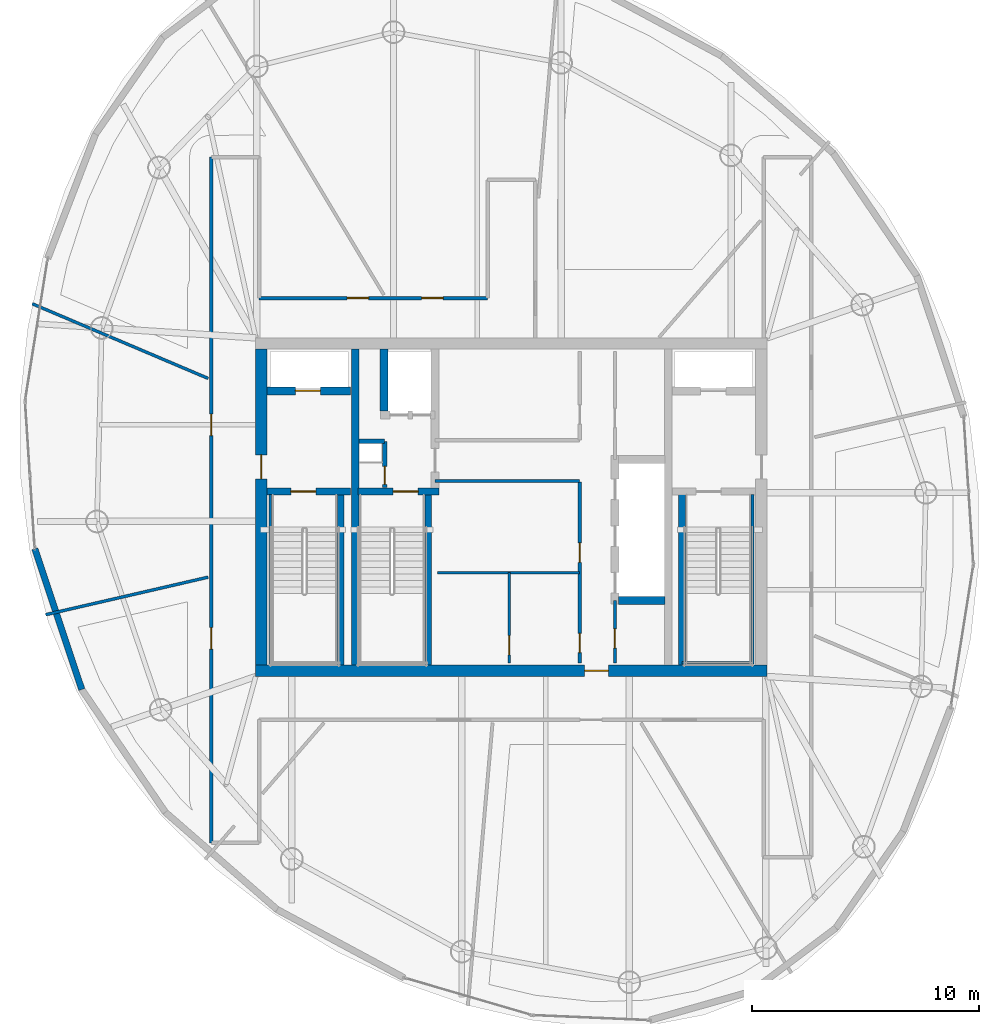
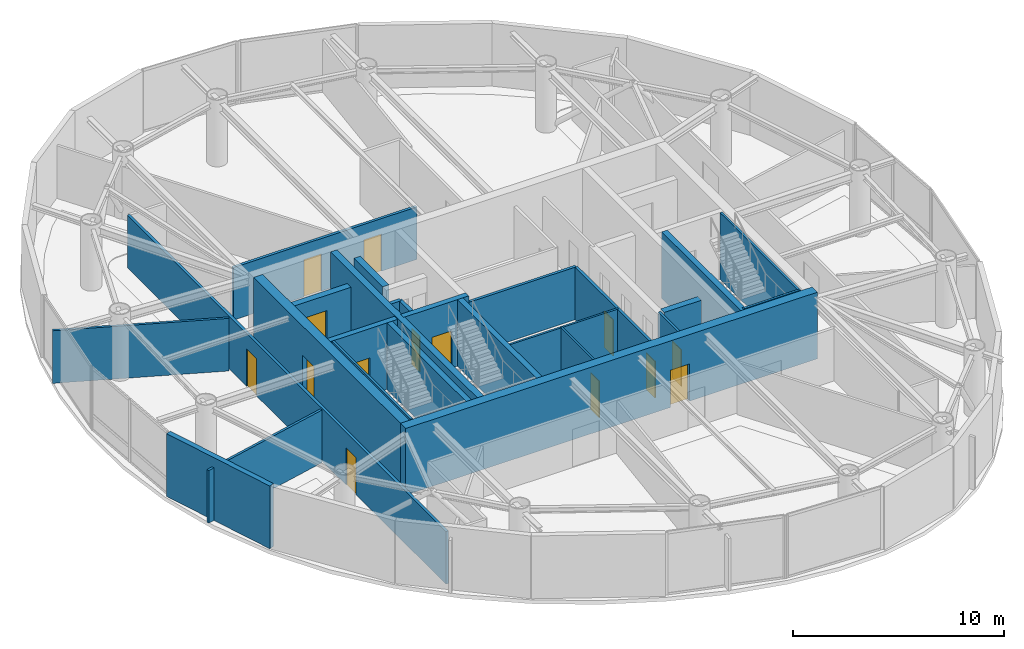
# One storey, part 13 of 18: 26 walls, 14 doors, 14 openings.
"""IFC4 building model written with IfcOpenShell, lengths in metres."""

from ifc_helpers import new_model, si_unit, direction, frame, frame_2d, origin, place, context, subcontext, project, spatial, rectangle, extrude, material, layer, layer_set, type_object, element, fill, save


model = new_model("IFC4")

# Units and contexts
model_context = context("Model", 3, precision=1e-05, world=origin(), true_north=direction((0.0, 1.0)))
body_context = subcontext(model_context, "Body", "Model", "MODEL_VIEW")
ifc_project = project(units=[si_unit("LENGTHUNIT", "METRE"), si_unit("AREAUNIT", "SQUARE_METRE"), si_unit("VOLUMEUNIT", "CUBIC_METRE"), si_unit("PLANEANGLEUNIT", "RADIAN"), si_unit("MASSUNIT", "GRAM", prefix="KILO")], contexts=[model_context])

# Site, building, storey
site_placement = place(None, origin())
site = spatial("IfcSite", under=ifc_project, at=site_placement, CompositionType="ELEMENT")
building_placement = place(site_placement, origin())
building = spatial("IfcBuilding", under=site, at=building_placement, Name="Bramvorn Convention Spire", CompositionType="ELEMENT")
storey_placement = place(building_placement, frame((0.0, 0.0, 288.25)))
storey = spatial("IfcBuildingStorey", under=building, at=storey_placement, Name="L73", CompositionType="ELEMENT", Elevation=288.25)

# Wall, opening, door
ifc_material_1 = material(Name="Concrete C50/60", Category="concrete")
ifc_layer_1 = layer(ifc_material_1, 0.5)
ifc_layer_set_1 = layer_set([ifc_layer_1], Name="Concrete C50/60 - WL-CORE-500")
wall_type_1 = type_object("IfcWallType", Name="WL-CORE-500", PredefinedType="SHEAR", material=ifc_layer_set_1)
wall_1_placement = place(storey_placement, frame((26.75, 18.800048828125, 0.0), z_axis=(0.0, 0.0, 1.0), x_axis=(1.0, 0.0, 0.0)))
wall_1 = element("IfcWall", 1, at=wall_1_placement, inside=storey, type_object=wall_type_1, Name="L73 South RC core shear wall", PredefinedType="SHEAR", context=body_context, shape_type="SweptSolid", body=[
    extrude(rectangle(XDim=22.5, YDim=0.5, at=frame_2d((11.25, 0.0))), origin(), (0.0, 0.0, 1.0), 3.85009765625),
])
opening_1_placement = place(wall_1_placement, frame((14.469970703125, 0.0, 0.0)))
opening_1 = element("IfcOpeningElement", 2, at=opening_1_placement, cuts=wall_1, Name="Opening DL-105", PredefinedType="OPENING", context=body_context, shape_type="SweptSolid", body=[
    extrude(rectangle(XDim=1.050048828125, YDim=2.14990234375, at=frame_2d((0.52490234375, 1.074951171875))), frame((0.0, 0.260009765625, 0.0), z_axis=(0.0, -1.0, 0.0), x_axis=(1.0, 0.0, 0.0)), (0.0, 0.0, 1.0), 0.52001953125),
])
ifc_material_2 = material(Name="Smoke-Sealed Fire Lobby Timber-Core Door", Category="wood")
door_type_1 = type_object("IfcDoorType", Name="DR-LOBBY-1050", OperationType="NOTDEFINED", PredefinedType="DOOR", material=ifc_material_2)
door_1_placement = place(opening_1_placement, origin())
door_1 = element("IfcDoor", 3, at=door_1_placement, inside=storey, type_object=door_type_1, Name="L73 South Lift Lobby fire door", OperationType="SINGLE_SWING_RIGHT", OverallHeight=2.14990234375, OverallWidth=1.050048828125, PredefinedType="DOOR", context=body_context, shape_type="SweptSolid", body=[
    extrude(rectangle(XDim=1.050048828125, YDim=2.14990234375, at=frame_2d((0.52490234375, 1.074951171875))), frame((0.0, 0.02490234375, 0.0), z_axis=(0.0, -1.0, 0.0), x_axis=(1.0, 0.0, 0.0)), (0.0, 0.0, 1.0), 0.050048828125),
])
fill(opening_1, door_1)

wall_2_placement = place(storey_placement, frame((27.0, 19.050048828125, 0.0), z_axis=(0.0, 0.0, 1.0), x_axis=(0.0, 1.0, 0.0)))
wall_2 = element("IfcWall", 4, at=wall_2_placement, inside=storey, type_object=wall_type_1, Name="L73 West RC core shear wall", PredefinedType="SHEAR", context=body_context, shape_type="SweptSolid", body=[
    extrude(rectangle(XDim=13.89990234375, YDim=0.5, at=frame_2d((6.949951171875, 0.0))), origin(), (0.0, 0.0, 1.0), 3.85009765625),
])
opening_2_placement = place(wall_2_placement, frame((8.199951171875, 0.0, 0.0)))
opening_2 = element("IfcOpeningElement", 5, at=opening_2_placement, cuts=wall_2, Name="Opening DL-105", PredefinedType="OPENING", context=body_context, shape_type="SweptSolid", body=[
    extrude(rectangle(XDim=1.050048828125, YDim=2.14990234375, at=frame_2d((0.52490234375, 1.074951171875))), frame((0.0, 0.260009765625, 0.0), z_axis=(0.0, -1.0, 0.0), x_axis=(1.0, 0.0, 0.0)), (0.0, 0.0, 1.0), 0.52001953125),
])
door_2_placement = place(opening_2_placement, origin())
door_2 = element("IfcDoor", 6, at=door_2_placement, inside=storey, type_object=door_type_1, Name="L73 West Firefighting Lobby corridor door", OperationType="SINGLE_SWING_RIGHT", OverallHeight=2.14990234375, OverallWidth=1.050048828125, PredefinedType="DOOR", context=body_context, shape_type="SweptSolid", body=[
    extrude(rectangle(XDim=1.050048828125, YDim=2.14990234375, at=frame_2d((0.52490234375, 1.074951171875))), frame((0.0, 0.02490234375, 0.0), z_axis=(0.0, -1.0, 0.0), x_axis=(1.0, 0.0, 0.0)), (0.0, 0.0, 1.0), 0.050048828125),
])
fill(opening_2, door_2)

# Wall
ifc_layer_2 = layer(ifc_material_1, 0.35009765625)
ifc_layer_set_2 = layer_set([ifc_layer_2], Name="Concrete C50/60 - WL-CORE-INT-350")
wall_type_2 = type_object("IfcWallType", Name="WL-CORE-INT-350", PredefinedType="SHEAR", material=ifc_layer_set_2)
wall_3_placement = place(storey_placement, frame((31.1298828125, 19.050048828125, 0.0), z_axis=(0.0, 0.0, 1.0), x_axis=(0.0, 1.0, 0.0)))
element("IfcWall", 7, at=wall_3_placement, inside=storey, type_object=wall_type_2, Name="L73 West internal core shear web", PredefinedType="SHEAR", context=body_context, shape_type="SweptSolid", body=[
    extrude(rectangle(XDim=13.89990234375, YDim=0.35009765625, at=frame_2d((6.949951171875, 0.0))), origin(), (0.0, 0.0, 1.0), 3.85009765625),
])

# Wall, opening, door
wall_4_placement = place(storey_placement, frame((27.25, 31.1201171875, 0.0), z_axis=(0.0, 0.0, 1.0), x_axis=(1.0, 0.0, 0.0)))
wall_4 = element("IfcWall", 8, at=wall_4_placement, inside=storey, type_object=wall_type_2, Name="L73 FE1 shaft front wall", PredefinedType="SHEAR", context=body_context, shape_type="SweptSolid", body=[
    extrude(rectangle(XDim=3.669921875, YDim=0.35009765625, at=frame_2d((1.8349609375, 0.0))), origin(), (0.0, 0.0, 1.0), 3.0400390625),
])
opening_3_placement = place(wall_4_placement, frame((1.25, 0.0, 0.0)))
opening_3 = element("IfcOpeningElement", 9, at=opening_3_placement, cuts=wall_4, Name="Opening LD-110", PredefinedType="OPENING", context=body_context, shape_type="SweptSolid", body=[
    extrude(rectangle(XDim=1.10009765625, YDim=2.14990234375, at=frame_2d((0.550048828125, 1.074951171875))), frame((0.0, 0.18505859375, 0.0), z_axis=(0.0, -1.0, 0.0), x_axis=(1.0, 0.0, 0.0)), (0.0, 0.0, 1.0), 0.3701171875),
])
ifc_material_3 = material(Name="Firefighting & Service Lift Sliding Landing Door", Category="steel")
door_type_2 = type_object("IfcDoorType", Name="DR-LIFT-LD-1100", OperationType="NOTDEFINED", PredefinedType="DOOR", material=ifc_material_3)
door_3_placement = place(opening_3_placement, origin())
door_3 = element("IfcDoor", 10, at=door_3_placement, inside=storey, type_object=door_type_2, Name="L73 Lift FE1 Sliding Landing Door", OperationType="SLIDING_TO_LEFT", OverallHeight=2.14990234375, OverallWidth=1.10009765625, PredefinedType="DOOR", context=body_context, shape_type="SweptSolid", body=[
    extrude(rectangle(XDim=1.10009765625, YDim=2.14990234375, at=frame_2d((0.550048828125, 1.074951171875))), frame((0.0, 0.02490234375, 0.0), z_axis=(0.0, -1.0, 0.0), x_axis=(1.0, 0.0, 0.0)), (0.0, 0.0, 1.0), 0.050048828125),
])
fill(opening_3, door_3)

# Walls
wall_5_placement = place(storey_placement, frame((32.39990234375, 30.219970703125, 0.0), z_axis=(0.0, 0.0, 1.0), x_axis=(0.0, 1.0, 0.0)))
element("IfcWall", 11, at=wall_5_placement, inside=storey, type_object=wall_type_2, Name="L73 SV1 west hoistway wall", PredefinedType="SHEAR", context=body_context, shape_type="SweptSolid", body=[
    extrude(rectangle(XDim=2.72998046875, YDim=0.35009765625, at=frame_2d((1.364990234375, 0.0))), origin(), (0.0, 0.0, 1.0), 3.0400390625),
])
wall_6_placement = place(storey_placement, frame((42.719970703125, 21.89990234375, 0.0), z_axis=(0.0, 0.0, 1.0), x_axis=(1.0, 0.0, 0.0)))
element("IfcWall", 12, at=wall_6_placement, inside=storey, type_object=wall_type_2, Name="L73 High-rise lift bank south wall", PredefinedType="SHEAR", context=body_context, shape_type="SweptSolid", body=[
    extrude(rectangle(XDim=2.030029296875, YDim=0.35009765625, at=frame_2d((1.01513671875, 0.0))), origin(), (0.0, 0.0, 1.0), 3.0400390625),
])
ifc_material_4 = material(Name="Precast Concrete C40/50 with Bronze Terracotta Rainscreen", Category="masonry")
ifc_layer_3 = layer(ifc_material_4, 0.300048828125)
ifc_layer_set_3 = layer_set([ifc_layer_3], Name="Precast Concrete C40/50 with Bronze Terracotta Rainscreen - WL-EXT-BRONZE-300")
wall_type_3 = type_object("IfcWallType", Name="WL-EXT-BRONZE-300", PredefinedType="SOLIDWALL", material=ifc_layer_set_3)
wall_7_placement = place(storey_placement, frame((19.098876953125, 17.97705078125, 0.0), z_axis=(0.0, 0.0, 1.0), x_axis=(-0.316822447312, 0.948484863811, 0.0)))
element("IfcWall", 13, at=wall_7_placement, inside=storey, type_object=wall_type_3, Name="L73 expressed bronze Gothic lancet pier wall 18", PredefinedType="SOLIDWALL", context=body_context, shape_type="SweptSolid", body=[
    extrude(rectangle(XDim=6.52685546875, YDim=0.280029296875, at=frame_2d((3.263427734375, 0.0))), origin(), (0.0, 0.0, 1.0), 3.625),
])
ifc_material_5 = material(Name="Lightweight En-Suite & Wet-Wall Partition", Category="gypsum")
ifc_layer_4 = layer(ifc_material_5, 0.110107421875)
ifc_layer_set_4 = layer_set([ifc_layer_4], Name="Lightweight En-Suite & Wet-Wall Partition - WL-PART-110")
wall_type_4 = type_object("IfcWallType", Name="WL-PART-110", PredefinedType="PARTITIONING", material=ifc_layer_set_4)
wall_8_placement = place(storey_placement, frame((34.75, 23.125, 0.0), z_axis=(0.0, 0.0, 1.0), x_axis=(1.0, 0.0, 0.0)))
element("IfcWall", 14, at=wall_8_placement, inside=storey, type_object=wall_type_4, Name="L73 KA horizontal core divider", PredefinedType="PARTITIONING", context=body_context, shape_type="SweptSolid", body=[
    extrude(rectangle(XDim=6.25, YDim=0.110107421875, at=frame_2d((3.125, 0.0))), origin(), (0.0, 0.0, 1.0), 3.0400390625),
])

# Wall, opening, door
wall_9_placement = place(storey_placement, frame((37.89990234375, 19.14990234375, 0.0), z_axis=(0.0, 0.0, 1.0), x_axis=(0.0, 1.0, 0.0)))
wall_9 = element("IfcWall", 15, at=wall_9_placement, inside=storey, type_object=wall_type_4, Name="L73 KA restroom subwall", PredefinedType="PARTITIONING", context=body_context, shape_type="SweptSolid", body=[
    extrude(rectangle(XDim=3.97509765625, YDim=0.110107421875, at=frame_2d((1.987548828125, 0.0))), origin(), (0.0, 0.0, 1.0), 3.0400390625),
])
opening_4_placement = place(wall_9_placement, frame((0.35009765625, 0.0, 0.0)))
opening_4 = element("IfcOpeningElement", 16, at=opening_4_placement, cuts=wall_9, Name="Opening DC-085", PredefinedType="OPENING", context=body_context, shape_type="SweptSolid", body=[
    extrude(rectangle(XDim=0.85009765625, YDim=2.10009765625, at=frame_2d((0.425048828125, 1.050048828125))), frame((0.0, 0.06494140625, 0.0), z_axis=(0.0, -1.0, 0.0), x_axis=(1.0, 0.0, 0.0)), (0.0, 0.0, 1.0), 0.130126953125),
])
ifc_material_6 = material(Name="Fire-Rated Core Washroom & IDF Door", Category="wood")
door_type_3 = type_object("IfcDoorType", Name="DR-CORE-850", OperationType="NOTDEFINED", PredefinedType="DOOR", material=ifc_material_6)
door_4_placement = place(opening_4_placement, origin())
door_4 = element("IfcDoor", 17, at=door_4_placement, inside=storey, type_object=door_type_3, Name="L73 Core IT Closet door", OperationType="SINGLE_SWING_LEFT", OverallHeight=2.10009765625, OverallWidth=0.85009765625, PredefinedType="DOOR", context=body_context, shape_type="SweptSolid", body=[
    extrude(rectangle(XDim=0.85009765625, YDim=2.10009765625, at=frame_2d((0.425048828125, 1.050048828125))), frame((0.0, 0.02490234375, 0.0), z_axis=(0.0, -1.0, 0.0), x_axis=(1.0, 0.0, 0.0)), (0.0, 0.0, 1.0), 0.050048828125),
])
fill(opening_4, door_4)

ifc_material_7 = material(Name="Metal-Stud Demountable Office Partition", Category="gypsum")
ifc_layer_5 = layer(ifc_material_7, 0.1298828125)
ifc_layer_set_5 = layer_set([ifc_layer_5], Name="Metal-Stud Demountable Office Partition - WL-PART-130")
wall_type_5 = type_object("IfcWallType", Name="WL-PART-130", PredefinedType="PARTITIONING", material=ifc_layer_set_5)
wall_10_placement = place(storey_placement, frame((42.550048828125, 19.14990234375, 0.0), z_axis=(0.0, 0.0, 1.0), x_axis=(0.0, 1.0, 0.0)))
wall_10 = element("IfcWall", 18, at=wall_10_placement, inside=storey, type_object=wall_type_5, Name="L73 KA SE store wall", PredefinedType="PARTITIONING", context=body_context, shape_type="SweptSolid", body=[
    extrude(rectangle(XDim=2.75, YDim=0.1298828125, at=frame_2d((1.375, 0.0))), origin(), (0.0, 0.0, 1.0), 3.0400390625),
])
opening_5_placement = place(wall_10_placement, frame((0.64990234375, 0.0, 0.0)))
opening_5 = element("IfcOpeningElement", 19, at=opening_5_placement, cuts=wall_10, Name="Opening DC-085", PredefinedType="OPENING", context=body_context, shape_type="SweptSolid", body=[
    extrude(rectangle(XDim=0.85009765625, YDim=2.10009765625, at=frame_2d((0.425048828125, 1.050048828125))), frame((0.0, 0.074951171875, 0.0), z_axis=(0.0, -1.0, 0.0), x_axis=(1.0, 0.0, 0.0)), (0.0, 0.0, 1.0), 0.14990234375),
])
door_5_placement = place(opening_5_placement, origin())
door_5 = element("IfcDoor", 20, at=door_5_placement, inside=storey, type_object=door_type_3, Name="L73 Tenant Pantry & Copy Centre door", OperationType="SINGLE_SWING_LEFT", OverallHeight=2.10009765625, OverallWidth=0.85009765625, PredefinedType="DOOR", context=body_context, shape_type="SweptSolid", body=[
    extrude(rectangle(XDim=0.85009765625, YDim=2.10009765625, at=frame_2d((0.425048828125, 1.050048828125))), frame((0.0, 0.02490234375, 0.0), z_axis=(0.0, -1.0, 0.0), x_axis=(1.0, 0.0, 0.0)), (0.0, 0.0, 1.0), 0.050048828125),
])
fill(opening_5, door_5)

# Walls
wall_11_placement = place(storey_placement, frame((24.659912109375, 31.66259765625, 0.0), z_axis=(0.0, 0.0, 1.0), x_axis=(-0.920505560615, 0.390729462514, 0.0)))
element("IfcWall", 21, at=wall_11_placement, inside=storey, type_object=wall_type_5, Name="L73 Tenant suite partition 5", PredefinedType="PARTITIONING", context=body_context, shape_type="SweptSolid", body=[
    extrude(rectangle(XDim=8.412109375, YDim=0.1298828125, at=frame_2d((4.2060546875, 0.0))), origin(), (0.0, 0.0, 1.0), 3.0400390625),
])
wall_12_placement = place(storey_placement, frame((24.659912109375, 22.920166015625, 0.0), z_axis=(0.0, 0.0, 1.0), x_axis=(-0.974372132694, -0.224942097061, 0.0)))
element("IfcWall", 22, at=wall_12_placement, inside=storey, type_object=wall_type_5, Name="L73 Tenant suite partition 6", PredefinedType="PARTITIONING", context=body_context, shape_type="SweptSolid", body=[
    extrude(rectangle(XDim=7.34033203125, YDim=0.1298828125, at=frame_2d((3.670166015625, 0.0))), origin(), (0.0, 0.0, 1.0), 3.0400390625),
])
ifc_material_8 = material(Name="Acoustic Metal-Stud Tenant/Corridor Partition", Category="gypsum")
ifc_layer_6 = layer(ifc_material_8, 0.14990234375)
ifc_layer_set_6 = layer_set([ifc_layer_6], Name="Acoustic Metal-Stud Tenant/Corridor Partition - WL-PART-150")
wall_type_6 = type_object("IfcWallType", Name="WL-PART-150", PredefinedType="PARTITIONING", material=ifc_layer_set_6)
wall_13_placement = place(storey_placement, frame((34.639892578125, 27.14990234375, 0.0), z_axis=(0.0, 0.0, 1.0), x_axis=(1.0, 0.0, 0.0)))
element("IfcWall", 23, at=wall_13_placement, inside=storey, type_object=wall_type_6, Name="L73 Cross-core passage south wall", PredefinedType="PARTITIONING", context=body_context, shape_type="SweptSolid", body=[
    extrude(rectangle(XDim=6.360107421875, YDim=0.14990234375, at=frame_2d((3.18017578125, 0.0))), origin(), (0.0, 0.0, 1.0), 3.0400390625),
])

# Wall, openings, doors
wall_14_placement = place(storey_placement, frame((41.0, 19.14990234375, 0.0), z_axis=(0.0, 0.0, 1.0), x_axis=(0.0, 1.0, 0.0)))
wall_14 = element("IfcWall", 24, at=wall_14_placement, inside=storey, type_object=wall_type_6, Name="L73 KA east core wall", PredefinedType="PARTITIONING", context=body_context, shape_type="SweptSolid", body=[
    extrude(rectangle(XDim=7.9501953125, YDim=0.14990234375, at=frame_2d((3.97509765625, 0.0))), origin(), (0.0, 0.0, 1.0), 3.0400390625),
])
opening_6_placement = place(wall_14_placement, frame((4.425048828125, 0.0, 0.0)))
opening_6 = element("IfcOpeningElement", 25, at=opening_6_placement, cuts=wall_14, Name="Opening DC-085", PredefinedType="OPENING", context=body_context, shape_type="SweptSolid", body=[
    extrude(rectangle(XDim=0.85009765625, YDim=2.10009765625, at=frame_2d((0.425048828125, 1.050048828125))), frame((0.0, 0.0849609375, 0.0), z_axis=(0.0, -1.0, 0.0), x_axis=(1.0, 0.0, 0.0)), (0.0, 0.0, 1.0), 0.169921875),
])
opening_7_placement = place(wall_14_placement, frame((0.449951171875, 0.0, 0.0)))
opening_7 = element("IfcOpeningElement", 26, at=opening_7_placement, cuts=wall_14, Name="Opening DC-085", PredefinedType="OPENING", context=body_context, shape_type="SweptSolid", body=[
    extrude(rectangle(XDim=0.85009765625, YDim=2.10009765625, at=frame_2d((0.425048828125, 1.050048828125))), frame((0.0, 0.0849609375, 0.0), z_axis=(0.0, -1.0, 0.0), x_axis=(1.0, 0.0, 0.0)), (0.0, 0.0, 1.0), 0.169921875),
])
door_6_placement = place(opening_6_placement, origin())
door_6 = element("IfcDoor", 27, at=door_6_placement, inside=storey, type_object=door_type_3, Name="L73 Core Linen & Equipment Store door", OperationType="SINGLE_SWING_LEFT", OverallHeight=2.10009765625, OverallWidth=0.85009765625, PredefinedType="DOOR", context=body_context, shape_type="SweptSolid", body=[
    extrude(rectangle(XDim=0.85009765625, YDim=2.10009765625, at=frame_2d((0.425048828125, 1.050048828125))), frame((0.0, 0.02490234375, 0.0), z_axis=(0.0, -1.0, 0.0), x_axis=(1.0, 0.0, 0.0)), (0.0, 0.0, 1.0), 0.050048828125),
])
fill(opening_6, door_6)
door_7_placement = place(opening_7_placement, origin())
door_7 = element("IfcDoor", 28, at=door_7_placement, inside=storey, type_object=door_type_3, Name="L73 Accessible Core Restroom door", OperationType="SINGLE_SWING_LEFT", OverallHeight=2.10009765625, OverallWidth=0.85009765625, PredefinedType="DOOR", context=body_context, shape_type="SweptSolid", body=[
    extrude(rectangle(XDim=0.85009765625, YDim=2.10009765625, at=frame_2d((0.425048828125, 1.050048828125))), frame((0.0, 0.02490234375, 0.0), z_axis=(0.0, -1.0, 0.0), x_axis=(1.0, 0.0, 0.0)), (0.0, 0.0, 1.0), 0.050048828125),
])
fill(opening_7, door_7)

wall_15_placement = place(storey_placement, frame((26.89990234375, 35.199951171875, 0.0), z_axis=(0.0, 0.0, 1.0), x_axis=(1.0, 0.0, 0.0)))
wall_15 = element("IfcWall", 29, at=wall_15_placement, inside=storey, type_object=wall_type_6, Name="L73 North-west spur link wall", PredefinedType="PARTITIONING", context=body_context, shape_type="SweptSolid", body=[
    extrude(rectangle(XDim=10.050048828125, YDim=0.14990234375, at=frame_2d((5.02490234375, 0.0))), origin(), (0.0, 0.0, 1.0), 3.0400390625),
])
opening_8_placement = place(wall_15_placement, frame((7.1494140625, 0.0, 0.0)))
opening_8 = element("IfcOpeningElement", 30, at=opening_8_placement, cuts=wall_15, Name="Opening DH-095", PredefinedType="OPENING", context=body_context, shape_type="SweptSolid", body=[
    extrude(rectangle(XDim=0.949951171875, YDim=2.14990234375, at=frame_2d((0.47509765625, 1.074951171875))), frame((0.0, 0.0849609375, 0.0), z_axis=(0.0, -1.0, 0.0), x_axis=(1.0, 0.0, 0.0)), (0.0, 0.0, 1.0), 0.169921875),
])
opening_9_placement = place(wall_15_placement, frame((3.872314453125, 0.0, 0.0)))
opening_9 = element("IfcOpeningElement", 31, at=opening_9_placement, cuts=wall_15, Name="Opening DH-095", PredefinedType="OPENING", context=body_context, shape_type="SweptSolid", body=[
    extrude(rectangle(XDim=0.949951171875, YDim=2.14990234375, at=frame_2d((0.47509765625, 1.074951171875))), frame((0.0, 0.0849609375, 0.0), z_axis=(0.0, -1.0, 0.0), x_axis=(1.0, 0.0, 0.0)), (0.0, 0.0, 1.0), 0.169921875),
])
ifc_material_9 = material(Name="Solid-Core Acoustic Guestroom Entry Door", Category="wood")
door_type_4 = type_object("IfcDoorType", Name="DR-HOTEL-950", OperationType="NOTDEFINED", PredefinedType="DOOR", material=ifc_material_9)
door_8_placement = place(opening_8_placement, origin())
door_8 = element("IfcDoor", 32, at=door_8_placement, inside=storey, type_object=door_type_4, Name="L73 Client Meeting Pin-Up Room 1 3 door", OperationType="SINGLE_SWING_LEFT", OverallHeight=2.14990234375, OverallWidth=0.949951171875, PredefinedType="DOOR", context=body_context, shape_type="SweptSolid", body=[
    extrude(rectangle(XDim=0.949951171875, YDim=2.14990234375, at=frame_2d((0.47509765625, 1.074951171875))), frame((0.0, 0.02490234375, 0.0), z_axis=(0.0, -1.0, 0.0), x_axis=(1.0, 0.0, 0.0)), (0.0, 0.0, 1.0), 0.050048828125),
])
fill(opening_8, door_8)
door_9_placement = place(opening_9_placement, origin())
door_9 = element("IfcDoor", 33, at=door_9_placement, inside=storey, type_object=door_type_4, Name="L73 Client Meeting Pin-Up Room 2 4 door", OperationType="SINGLE_SWING_LEFT", OverallHeight=2.14990234375, OverallWidth=0.949951171875, PredefinedType="DOOR", context=body_context, shape_type="SweptSolid", body=[
    extrude(rectangle(XDim=0.949951171875, YDim=2.14990234375, at=frame_2d((0.47509765625, 1.074951171875))), frame((0.0, 0.02490234375, 0.0), z_axis=(0.0, -1.0, 0.0), x_axis=(1.0, 0.0, 0.0)), (0.0, 0.0, 1.0), 0.050048828125),
])
fill(opening_9, door_9)

wall_16_placement = place(storey_placement, frame((24.800048828125, 11.230224609375, 0.0), z_axis=(0.0, 0.0, 1.0), x_axis=(0.0, 1.0, 0.0)))
wall_16 = element("IfcWall", 34, at=wall_16_placement, inside=storey, type_object=wall_type_6, Name="L73 West N-S gallery outer wall", PredefinedType="PARTITIONING", context=body_context, shape_type="SweptSolid", body=[
    extrude(rectangle(XDim=30.169677734375, YDim=0.14990234375, at=frame_2d((15.0849609375, 0.0))), origin(), (0.0, 0.0, 1.0), 3.0400390625),
])
opening_10_placement = place(wall_16_placement, frame((17.914794921875, 0.0, 0.0)))
opening_10 = element("IfcOpeningElement", 35, at=opening_10_placement, cuts=wall_16, Name="Opening DH-095", PredefinedType="OPENING", context=body_context, shape_type="SweptSolid", body=[
    extrude(rectangle(XDim=0.949951171875, YDim=2.14990234375, at=frame_2d((0.47509765625, 1.074951171875))), frame((0.0, 0.0849609375, 0.0), z_axis=(0.0, -1.0, 0.0), x_axis=(1.0, 0.0, 0.0)), (0.0, 0.0, 1.0), 0.169921875),
])
opening_11_placement = place(wall_16_placement, frame((8.518310546875, 0.0, 0.0)))
opening_11 = element("IfcOpeningElement", 36, at=opening_11_placement, cuts=wall_16, Name="Opening DH-095", PredefinedType="OPENING", context=body_context, shape_type="SweptSolid", body=[
    extrude(rectangle(XDim=0.949951171875, YDim=2.14990234375, at=frame_2d((0.47509765625, 1.074951171875))), frame((0.0, 0.0849609375, 0.0), z_axis=(0.0, -1.0, 0.0), x_axis=(1.0, 0.0, 0.0)), (0.0, 0.0, 1.0), 0.169921875),
])
door_10_placement = place(opening_10_placement, origin())
door_10 = element("IfcDoor", 37, at=door_10_placement, inside=storey, type_object=door_type_4, Name="L73 Materials Library Store 5 door", OperationType="SINGLE_SWING_LEFT", OverallHeight=2.14990234375, OverallWidth=0.949951171875, PredefinedType="DOOR", context=body_context, shape_type="SweptSolid", body=[
    extrude(rectangle(XDim=0.949951171875, YDim=2.14990234375, at=frame_2d((0.47509765625, 1.074951171875))), frame((0.0, 0.02490234375, 0.0), z_axis=(0.0, -1.0, 0.0), x_axis=(1.0, 0.0, 0.0)), (0.0, 0.0, 1.0), 0.050048828125),
])
fill(opening_10, door_10)
door_11_placement = place(opening_11_placement, origin())
door_11 = element("IfcDoor", 38, at=door_11_placement, inside=storey, type_object=door_type_4, Name="L73 Studio Espresso Kitchen 6 door", OperationType="SINGLE_SWING_RIGHT", OverallHeight=2.14990234375, OverallWidth=0.949951171875, PredefinedType="DOOR", context=body_context, shape_type="SweptSolid", body=[
    extrude(rectangle(XDim=0.949951171875, YDim=2.14990234375, at=frame_2d((0.47509765625, 1.074951171875))), frame((0.0, 0.02490234375, 0.0), z_axis=(0.0, -1.0, 0.0), x_axis=(1.0, 0.0, 0.0)), (0.0, 0.0, 1.0), 0.050048828125),
])
fill(opening_11, door_11)

# Wall, opening, door
ifc_material_10 = material(Name="Gypsum Shaftwall & Rockwool Core Partition", Category="gypsum")
ifc_layer_7 = layer(ifc_material_10, 0.199951171875)
ifc_layer_set_7 = layer_set([ifc_layer_7], Name="Gypsum Shaftwall & Rockwool Core Partition - WL-PART-200-FR")
wall_type_7 = type_object("IfcWallType", Name="WL-PART-200-FR", PredefinedType="PARTITIONING", material=ifc_layer_set_7)
wall_17_placement = place(storey_placement, frame((32.419921875, 26.860107421875, 0.0), z_axis=(0.0, 0.0, 1.0), x_axis=(0.0, 1.0, 0.0)))
wall_17 = element("IfcWall", 39, at=wall_17_placement, inside=storey, type_object=wall_type_7, Name="L73 Telecom riser east wall", PredefinedType="PARTITIONING", context=body_context, shape_type="SweptSolid", body=[
    extrude(rectangle(XDim=2.039794921875, YDim=0.199951171875, at=frame_2d((1.02001953125, 0.0))), origin(), (0.0, 0.0, 1.0), 3.0400390625),
])
opening_12_placement = place(wall_17_placement, frame((0.139892578125, 0.0, 0.0)))
opening_12 = element("IfcOpeningElement", 40, at=opening_12_placement, cuts=wall_17, Name="Opening DR-080", PredefinedType="OPENING", context=body_context, shape_type="SweptSolid", body=[
    extrude(rectangle(XDim=0.800048828125, YDim=2.050048828125, at=frame_2d((0.39990234375, 1.02490234375))), frame((0.0, 0.10986328125, 0.0), z_axis=(0.0, -1.0, 0.0), x_axis=(1.0, 0.0, 0.0)), (0.0, 0.0, 1.0), 0.219970703125),
])
ifc_material_11 = material(Name="Flush Steel Riser Access Door", Category="steel")
door_type_5 = type_object("IfcDoorType", Name="DR-RISER-800", OperationType="NOTDEFINED", PredefinedType="DOOR", material=ifc_material_11)
door_12_placement = place(opening_12_placement, origin())
door_12 = element("IfcDoor", 41, at=door_12_placement, inside=storey, type_object=door_type_5, Name="L73 Telecom riser access door", OperationType="SINGLE_SWING_RIGHT", OverallHeight=2.050048828125, OverallWidth=0.800048828125, PredefinedType="DOOR", context=body_context, shape_type="SweptSolid", body=[
    extrude(rectangle(XDim=0.800048828125, YDim=2.050048828125, at=frame_2d((0.39990234375, 1.02490234375))), frame((0.0, 0.02490234375, 0.0), z_axis=(0.0, -1.0, 0.0), x_axis=(1.0, 0.0, 0.0)), (0.0, 0.0, 1.0), 0.050048828125),
])
fill(opening_12, door_12)

# Wall
wall_18_placement = place(storey_placement, frame((31.300048828125, 28.89990234375, 0.0), z_axis=(0.0, 0.0, 1.0), x_axis=(1.0, 0.0, 0.0)))
element("IfcWall", 42, at=wall_18_placement, inside=storey, type_object=wall_type_7, Name="L73 Telecom riser north wall", PredefinedType="PARTITIONING", context=body_context, shape_type="SweptSolid", body=[
    extrude(rectangle(XDim=1.119873046875, YDim=0.199951171875, at=frame_2d((0.56005859375, 0.0))), origin(), (0.0, 0.0, 1.0), 3.0400390625),
])

# Wall, opening, door
ifc_layer_8 = layer(ifc_material_1, 0.300048828125)
ifc_layer_set_8 = layer_set([ifc_layer_8], Name="Concrete C50/60 - WL-POD-STAIR-300")
wall_type_8 = type_object("IfcWallType", Name="WL-POD-STAIR-300", PredefinedType="SHEAR", material=ifc_layer_set_8)
wall_19_placement = place(storey_placement, frame((27.25, 26.68994140625, 0.0), z_axis=(0.0, 0.0, 1.0), x_axis=(1.0, 0.0, 0.0)))
wall_19 = element("IfcWall", 43, at=wall_19_placement, inside=storey, type_object=wall_type_8, Name="L73 ST1 north fire wall", PredefinedType="SHEAR", context=body_context, shape_type="SweptSolid", body=[
    extrude(rectangle(XDim=3.669921875, YDim=0.300048828125, at=frame_2d((1.8349609375, 0.0))), origin(), (0.0, 0.0, 1.0), 3.85009765625),
])
opening_13_placement = place(wall_19_placement, frame((1.050048828125, 0.0, 0.0)))
opening_13 = element("IfcOpeningElement", 44, at=opening_13_placement, cuts=wall_19, Name="Opening DS-110", PredefinedType="OPENING", context=body_context, shape_type="SweptSolid", body=[
    extrude(rectangle(XDim=1.10009765625, YDim=2.14990234375, at=frame_2d((0.550048828125, 1.074951171875))), frame((0.0, 0.159912109375, 0.0), z_axis=(0.0, -1.0, 0.0), x_axis=(1.0, 0.0, 0.0)), (0.0, 0.0, 1.0), 0.320068359375),
])
ifc_material_12 = material(Name="Fire-Rated Hollow Steel Stairwell Door", Category="steel")
door_type_6 = type_object("IfcDoorType", Name="DR-STAIR-1100", OperationType="NOTDEFINED", PredefinedType="DOOR", material=ifc_material_12)
door_13_placement = place(opening_13_placement, origin())
door_13 = element("IfcDoor", 45, at=door_13_placement, inside=storey, type_object=door_type_6, Name="L73 Stair ST1 fire door", OperationType="SINGLE_SWING_LEFT", OverallHeight=2.14990234375, OverallWidth=1.10009765625, PredefinedType="DOOR", context=body_context, shape_type="SweptSolid", body=[
    extrude(rectangle(XDim=1.10009765625, YDim=2.14990234375, at=frame_2d((0.550048828125, 1.074951171875))), frame((0.0, 0.02490234375, 0.0), z_axis=(0.0, -1.0, 0.0), x_axis=(1.0, 0.0, 0.0)), (0.0, 0.0, 1.0), 0.050048828125),
])
fill(opening_13, door_13)

# Walls
for number, where, z_axis, x_axis, name in (
    (46, (30.489990234375, 19.050048828125, 0.0), (0.0, 0.0, 1.0), (0.0, 1.0, 0.0), "L73 ST1 east bearing wall"),
    (47, (45.510009765625, 19.050048828125, 0.0), (0.0, 0.0, 1.0), (0.0, 1.0, 0.0), "L73 ST2 west bearing wall"),
    (48, (34.340087890625, 19.050048828125, 0.0), (0.0, 0.0, 1.0), (0.0, 1.0, 0.0), "L73 ST3 east bearing wall"),
):
    element("IfcWall", number, at=place(storey_placement, frame(where, z_axis=z_axis, x_axis=x_axis)), inside=storey, type_object=wall_type_8, Name=name, PredefinedType="SHEAR", context=body_context, shape_type="SweptSolid", body=[
        extrude(rectangle(XDim=7.5, YDim=0.300048828125, at=frame_2d((3.75, 0.0))), origin(), (0.0, 0.0, 1.0), 3.85009765625),
    ])

# Wall, opening, door
wall_20_placement = place(storey_placement, frame((31.25, 26.68994140625, 0.0), z_axis=(0.0, 0.0, 1.0), x_axis=(1.0, 0.0, 0.0)))
wall_20 = element("IfcWall", 49, at=wall_20_placement, inside=storey, type_object=wall_type_8, Name="L73 ST3 north lobby wall", PredefinedType="SHEAR", context=body_context, shape_type="SweptSolid", body=[
    extrude(rectangle(XDim=3.56005859375, YDim=0.300048828125, at=frame_2d((1.780029296875, 0.0))), origin(), (0.0, 0.0, 1.0), 3.85009765625),
])
opening_14_placement = place(wall_20_placement, frame((1.550048828125, 0.0, 0.0)))
opening_14 = element("IfcOpeningElement", 50, at=opening_14_placement, cuts=wall_20, Name="Opening DS-110", PredefinedType="OPENING", context=body_context, shape_type="SweptSolid", body=[
    extrude(rectangle(XDim=1.10009765625, YDim=2.14990234375, at=frame_2d((0.550048828125, 1.074951171875))), frame((0.0, 0.159912109375, 0.0), z_axis=(0.0, -1.0, 0.0), x_axis=(1.0, 0.0, 0.0)), (0.0, 0.0, 1.0), 0.320068359375),
])
door_14_placement = place(opening_14_placement, origin())
door_14 = element("IfcDoor", 51, at=door_14_placement, inside=storey, type_object=door_type_6, Name="L73 Stair ST3 fire door", OperationType="SINGLE_SWING_LEFT", OverallHeight=2.14990234375, OverallWidth=1.10009765625, PredefinedType="DOOR", context=body_context, shape_type="SweptSolid", body=[
    extrude(rectangle(XDim=1.10009765625, YDim=2.14990234375, at=frame_2d((0.550048828125, 1.074951171875))), frame((0.0, 0.02490234375, 0.0), z_axis=(0.0, -1.0, 0.0), x_axis=(1.0, 0.0, 0.0)), (0.0, 0.0, 1.0), 0.050048828125),
])
fill(opening_14, door_14)

# Walls
ifc_layer_9 = layer(ifc_material_1, 0.1201171875)
ifc_layer_set_9 = layer_set([ifc_layer_9], Name="Concrete C50/60 - WL-STAIR-RC-120")
wall_type_9 = type_object("IfcWallType", Name="WL-STAIR-RC-120", PredefinedType="SHEAR", material=ifc_layer_set_9)
for number, where, z_axis, x_axis, name in (
    (52, (27.39501953125, 19.10009765625, 0.0), (0.0, 0.0, 1.0), (0.0, 1.0, 0.0), "L73 ST1 west bearing shear wall"),
    (53, (48.60498046875, 19.10009765625, 0.0), (0.0, 0.0, 1.0), (0.0, 1.0, 0.0), "L73 ST2 east bearing shear wall"),
):
    element("IfcWall", number, at=place(storey_placement, frame(where, z_axis=z_axis, x_axis=x_axis)), inside=storey, type_object=wall_type_9, Name=name, PredefinedType="SHEAR", context=body_context, shape_type="SweptSolid", body=[
        extrude(rectangle(XDim=7.449951171875, YDim=0.1201171875, at=frame_2d((3.72509765625, 0.0))), origin(), (0.0, 0.0, 1.0), 3.85009765625),
    ])
wall_21_placement = place(storey_placement, frame((45.510009765625, 19.159912109375, 0.0), z_axis=(0.0, 0.0, 1.0), x_axis=(1.0, 0.0, 0.0)))
element("IfcWall", 54, at=wall_21_placement, inside=storey, type_object=wall_type_9, Name="L73 ST2 south bearing shear wall", PredefinedType="SHEAR", context=body_context, shape_type="SweptSolid", body=[
    extrude(rectangle(XDim=3.094970703125, YDim=0.1201171875, at=frame_2d((1.54736328125, 0.0))), origin(), (0.0, 0.0, 1.0), 3.85009765625),
])

save(model, "model.ifc")
